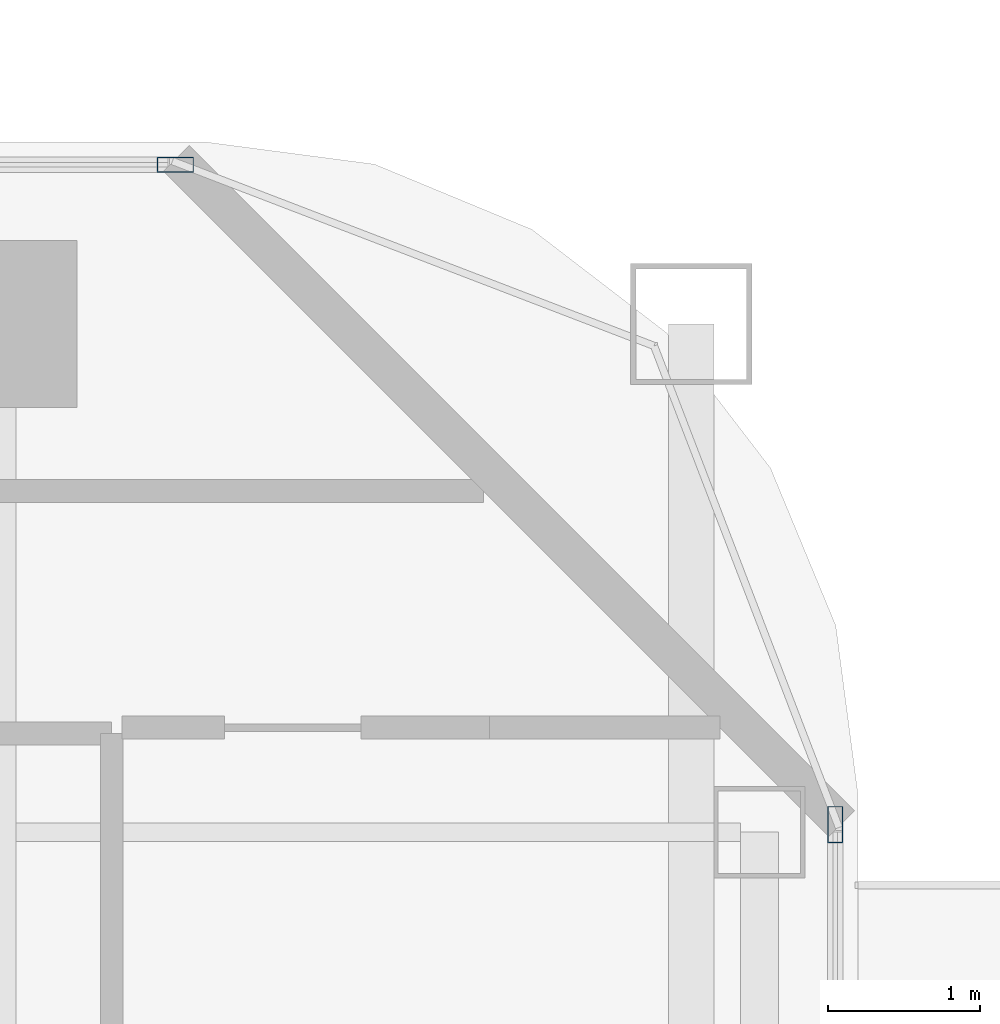
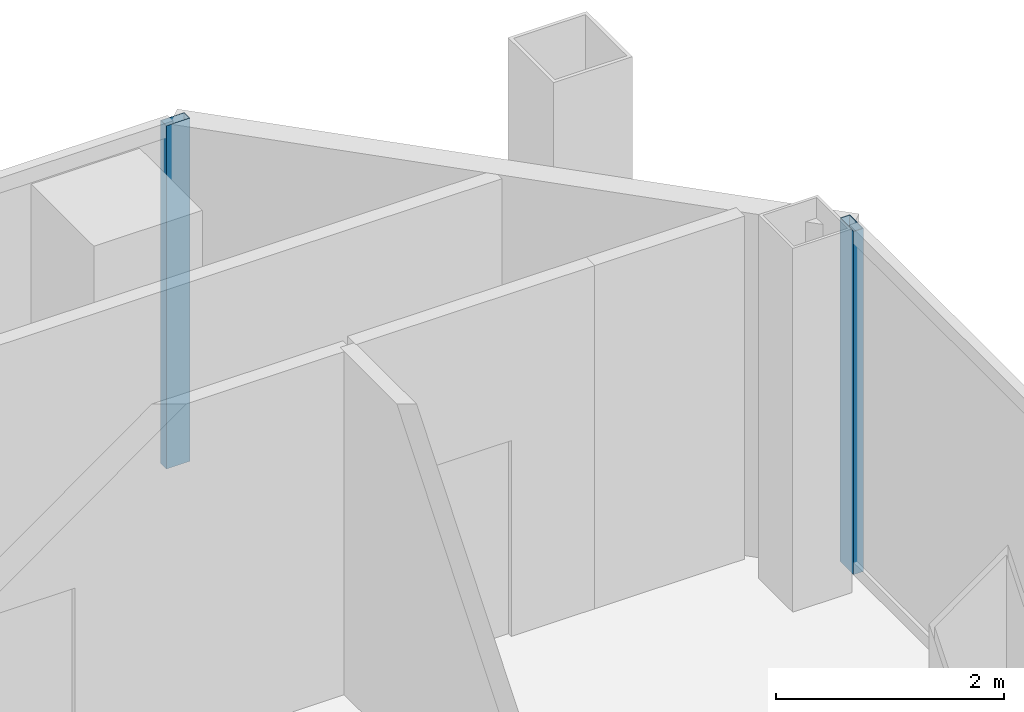
# One storey, part 15 of 23: 2 members, 2 elements without a shape of their own.
"""IFC4 building model written with IfcOpenShell, lengths in metres."""

from ifc_helpers import new_model, si_unit, direction, frame, origin, origin_2d, place, context, subcontext, project, spatial, hollow_rectangle, extrude, material, layer, layer_set, material_profile, profile_set, type_object, element, aggregate, save


model = new_model("IFC4")

# Units and contexts
model_context = context("Model", 3, precision=1e-05, world=origin(), true_north=direction((0.0, 1.0)))
body_context = subcontext(model_context, "Body", "Model", "MODEL_VIEW")
ifc_project = project(units=[si_unit("LENGTHUNIT", "METRE"), si_unit("AREAUNIT", "SQUARE_METRE"), si_unit("VOLUMEUNIT", "CUBIC_METRE"), si_unit("PLANEANGLEUNIT", "RADIAN"), si_unit("MASSUNIT", "GRAM", prefix="KILO")], contexts=[model_context])

# Site, building, storey
site_placement = place(None, origin())
site = spatial("IfcSite", under=ifc_project, at=site_placement, CompositionType="ELEMENT")
building_placement = place(site_placement, origin())
building = spatial("IfcBuilding", under=site, at=building_placement, Name="Khorvyn Point Tower", CompositionType="ELEMENT")
storey_placement = place(building_placement, frame((0.0, 0.0, 195.300048828125)))
storey = spatial("IfcBuildingStorey", under=building, at=storey_placement, Name="L48", CompositionType="ELEMENT", Elevation=195.300048828125)

# Curtain wall, member
ifc_material_1 = material(Name="Anodised aluminium 6063-T6 and laminated Low-E glass", Category="aluminium")
ifc_layer = layer(ifc_material_1, 0.18994140625)
ifc_layer_set = layer_set([ifc_layer], Name="Stick-Built Acoustic Curtain Wall CW-SYS-03")
curtain_wall_type = type_object("IfcCurtainWallType", Name="Stick-Built Acoustic Curtain Wall CW-SYS-03", PredefinedType="NOTDEFINED", material=ifc_layer_set)
curtain_wall_1_placement = place(storey_placement, origin())
curtain_wall_1 = element("IfcCurtainWall", 1, at=curtain_wall_1_placement, inside=storey, type_object=curtain_wall_type, Name="Curtain Wall", PredefinedType="NOTDEFINED")
ifc_material_2 = material(Name="Anodised aluminium 6063-T6", Category="aluminium")
ifc_material_profile = material_profile(ifc_material_2, hollow_rectangle(XDim=0.10009765625, YDim=0.239990234375, WallThickness=0.0048828125, at=origin_2d()))
ifc_profile_set = profile_set([ifc_material_profile], Name="Anodised aluminium 6063-T6 ALU-MUL-100x240")
member_type = type_object("IfcMemberType", Name="Anodised Aluminium 6063-T6 Mullion ALU-MUL-100x240", PredefinedType="MULLION", material=ifc_profile_set)
member_1_placement = place(storey_placement, frame((16.0, 15.85009765625, 0.0), z_axis=(0.0, 0.0, 1.0), x_axis=(0.0, 1.0, 0.0)))
member_1 = element("IfcMember", 2, at=member_1_placement, type_object=member_type, Name="Transom", PredefinedType="MULLION", context=body_context, shape_type="SweptSolid", body=[
    extrude(hollow_rectangle(XDim=0.10009765625, YDim=0.239990234375, WallThickness=0.0048828125, at=origin_2d()), origin(), (0.0, 0.0, 1.0), 3.679931640625),
])
aggregate(curtain_wall_1, [member_1])

curtain_wall_2_placement = place(storey_placement, origin())
curtain_wall_2 = element("IfcCurtainWall", 3, at=curtain_wall_2_placement, inside=storey, type_object=curtain_wall_type, Name="Curtain Wall", PredefinedType="NOTDEFINED")
member_2_placement = place(storey_placement, frame((20.35009765625, 11.5, 0.0), z_axis=(0.0, 0.0, 1.0), x_axis=(1.0, 0.0, 0.0)))
member_2 = element("IfcMember", 4, at=member_2_placement, type_object=member_type, Name="Transom", PredefinedType="MULLION", context=body_context, shape_type="SweptSolid", body=[
    extrude(hollow_rectangle(XDim=0.10009765625, YDim=0.239990234375, WallThickness=0.0048828125, at=origin_2d()), origin(), (0.0, 0.0, 1.0), 3.679931640625),
])
aggregate(curtain_wall_2, [member_2])

save(model, "model.ifc")
